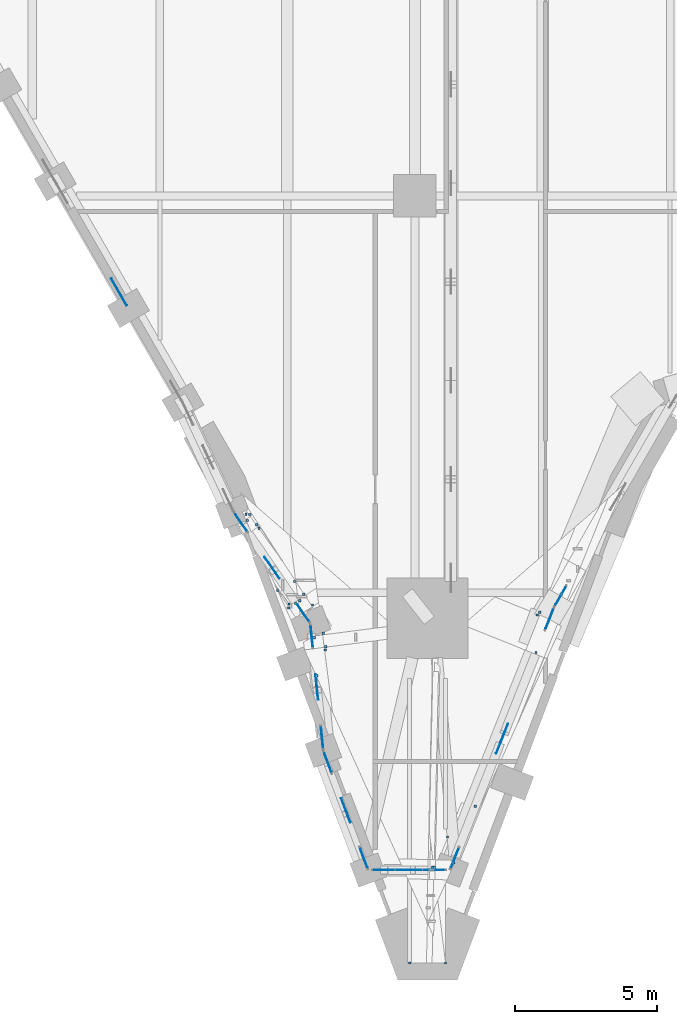
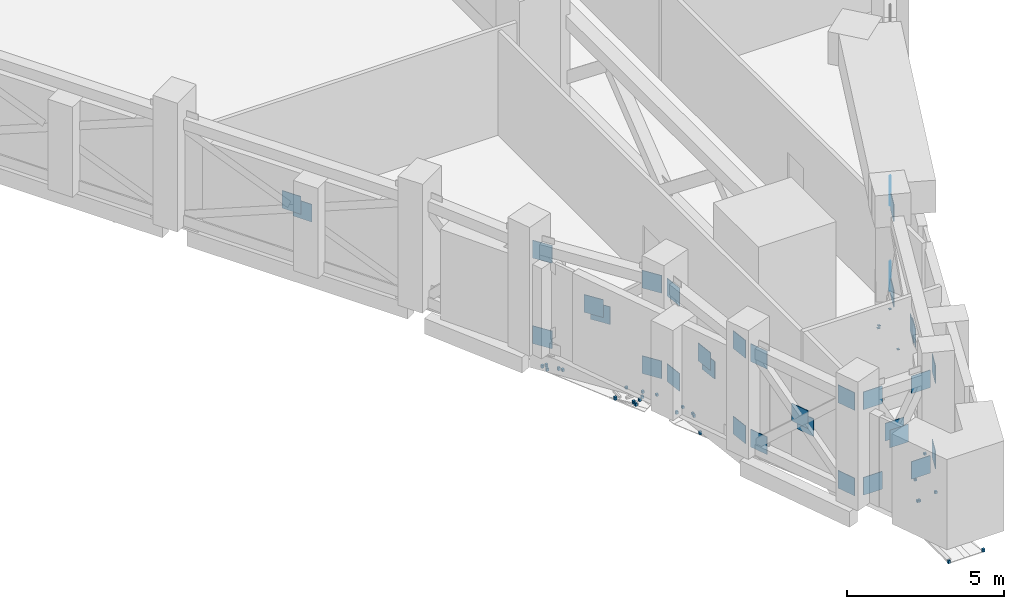
# One storey, part 15 of 20: 63 discrete accessories.
"""IFC4 building model written with IfcOpenShell, lengths in metres."""

from ifc_helpers import new_model, si_unit, direction, frame, origin, origin_2d, place, context, subcontext, project, spatial, rectangle, extrude, material, type_object, element, save


model = new_model("IFC4")

# Units and contexts
model_context = context("Model", 3, precision=1e-05, world=origin(), true_north=direction((0.0, 1.0)))
body_context = subcontext(model_context, "Body", "Model", "MODEL_VIEW")
ifc_project = project(units=[si_unit("LENGTHUNIT", "METRE"), si_unit("AREAUNIT", "SQUARE_METRE"), si_unit("VOLUMEUNIT", "CUBIC_METRE"), si_unit("PLANEANGLEUNIT", "RADIAN"), si_unit("MASSUNIT", "GRAM", prefix="KILO")], contexts=[model_context])

# Site, building, storey
site_placement = place(None, origin())
site = spatial("IfcSite", under=ifc_project, at=site_placement, CompositionType="ELEMENT")
building_placement = place(site_placement, origin())
building = spatial("IfcBuilding", under=site, at=building_placement, Name="Calabash Gate Tower", CompositionType="ELEMENT")
storey_placement = place(building_placement, frame((0.0, 0.0, 139.60009765625)))
storey = spatial("IfcBuildingStorey", under=building, at=storey_placement, Name="L32", CompositionType="ELEMENT", Elevation=139.60009765625)

# Discrete accessories
ifc_material_1 = material(Name="Steel ASTM A572 Gr50", Category="steel")
discrete_accessory_type_1 = type_object("IfcDiscreteAccessoryType", Name="Connection plate 25", PredefinedType="BRACKET", material=ifc_material_1)
for number, where, z_axis, x_axis, name in (
    (1, (-10.538818359375, -15.211181640625, 1.80322265625), (0.0, 0.0, 1.0), (0.499999954655, -0.866025429964, 0.0), "Connection plate Belt diagonal (split) L32 4 half 1 of 2 end"),
    (2, (-10.337646484375, -15.5595703125, 1.638671875), (0.0, 0.0, 1.0), (0.499999954655, -0.866025429964, 0.0), "Connection plate Belt diagonal (split) L32 5 half 2 of 2 start"),
    (3, (-6.133544921875, -23.519287109375, 0.0625), (0.0, 0.0, 1.0), (0.566462993723, -0.824087177878, 0.0), "Connection plate Belt diagonal L32 13 start"),
    (4, (-3.95068359375, -26.694580078125, 3.37939453125), (0.0, 0.0, 1.0), (0.566462993723, -0.824087177878, 0.0), "Connection plate Belt diagonal L32 13 end"),
    (5, (-6.133544921875, -23.519287109375, 3.37939453125), (0.0, 0.0, 1.0), (0.566463137553, -0.824087079011, 0.0), "Connection plate Belt diagonal (split) L32 14 half 1 of 2 start"),
    (6, (-5.1083984375, -25.0107421875, 1.82177734375), (0.0, 0.0, 1.0), (0.566463137553, -0.824087079011, 0.0), "Connection plate Belt diagonal (split) L32 14 half 1 of 2 end"),
    (7, (-4.97607421875, -25.203125, 1.62060546875), (0.0, 0.0, 1.0), (0.566463137553, -0.824087079011, 0.0), "Connection plate Belt diagonal (split) L32 15 half 2 of 2 start"),
    (8, (-3.95068359375, -26.694580078125, 0.0625), (0.0, 0.0, 1.0), (0.566463137553, -0.824087079011, 0.0), "Connection plate Belt diagonal (split) L32 15 half 2 of 2 end"),
    (9, (-3.640869140625, -27.53955078125, 0.0625), (0.0, 0.0, 1.0), (0.101681535445, -0.994817000935, 0.0), "Connection plate Belt diagonal L32 18 start"),
    (10, (-3.277099609375, -31.098876953125, 3.37939453125), (0.0, 0.0, 1.0), (0.101681535445, -0.994817000935, 0.0), "Connection plate Belt diagonal L32 18 end"),
    (11, (-3.640869140625, -27.53955078125, 3.37939453125), (0.0, 0.0, 1.0), (0.101681761162, -0.994816977864, 0.0), "Connection plate Belt diagonal (split) L32 19 half 1 of 2 start"),
    (12, (-3.470458984375, -29.207763671875, 1.82470703125), (0.0, 0.0, 1.0), (0.101681761162, -0.994816977864, 0.0), "Connection plate Belt diagonal (split) L32 19 half 1 of 2 end"),
    (13, (-3.447509765625, -29.4306640625, 1.6171875), (0.0, 0.0, 1.0), (0.101681761162, -0.994816977864, 0.0), "Connection plate Belt diagonal (split) L32 20 half 2 of 2 start"),
    (14, (-3.277099609375, -31.098876953125, 0.0625), (0.0, 0.0, 1.0), (0.101681761162, -0.994816977864, 0.0), "Connection plate Belt diagonal (split) L32 20 half 2 of 2 end"),
    (15, (-3.071533203125, -31.98291015625, 0.0625), (0.0, 0.0, 1.0), (0.351822435641, -0.936066757117, 0.0), "Connection plate Belt diagonal L32 23 start"),
    (16, (-1.804931640625, -35.352783203125, 3.37939453125), (0.0, 0.0, 1.0), (0.351822435641, -0.936066757117, 0.0), "Connection plate Belt diagonal L32 23 end"),
    (17, (-3.071533203125, -31.98291015625, 3.37939453125), (0.0, 0.0, 1.0), (0.351822550003, -0.936066714134, 0.0), "Connection plate Belt diagonal (split) L32 24 half 1 of 2 start"),
    (18, (-2.477783203125, -33.562744140625, 1.82470703125), (0.0, 0.0, 1.0), (0.351822550003, -0.936066714134, 0.0), "Connection plate Belt diagonal (split) L32 24 half 1 of 2 end"),
    (19, (-2.398681640625, -33.773193359375, 1.6171875), (0.0, 0.0, 1.0), (0.351822550003, -0.936066714134, 0.0), "Connection plate Belt diagonal (split) L32 25 half 2 of 2 start"),
    (20, (-1.804931640625, -35.352783203125, 0.0625), (0.0, 0.0, 1.0), (0.351822550003, -0.936066714134, 0.0), "Connection plate Belt diagonal (split) L32 25 half 2 of 2 end"),
    (21, (-1.085693359375, -35.774169921875, 0.0625), (0.0, 0.0, 1.0), (1.0, 0.0, 0.0), "Connection plate Belt diagonal L32 28 start"),
    (22, (0.67626953125, -35.774169921875, 3.37939453125), (0.0, 0.0, 1.0), (1.0, 0.0, 0.0), "Connection plate Belt diagonal L32 28 end"),
    (23, (-1.085693359375, -35.774169921875, 3.37939453125), (0.0, 0.0, 1.0), (1.0, 0.0, 0.0), "Connection plate Belt diagonal (split) L32 29 half 1 of 2 start"),
    (24, (-0.291015625, -35.774169921875, 1.88330078125), (0.0, 0.0, 1.0), (1.0, 0.0, 0.0), "Connection plate Belt diagonal (split) L32 29 half 1 of 2 end"),
    (25, (-0.118408203125, -35.774169921875, 1.55859375), (0.0, 0.0, 1.0), (1.0, 0.0, 0.0), "Connection plate Belt diagonal (split) L32 30 half 2 of 2 start"),
    (26, (0.67626953125, -35.774169921875, 0.0625), (0.0, 0.0, 1.0), (1.0, 0.0, 0.0), "Connection plate Belt diagonal (split) L32 30 half 2 of 2 end"),
    (27, (1.40283203125, -35.355712890625, 0.0625), (0.0, 0.0, 1.0), (0.368137437412, 0.92977138436, 0.0), "Connection plate Belt diagonal L32 33 start"),
    (28, (4.740966796875, -26.9248046875, 3.37939453125), (0.0, 0.0, 1.0), (0.368137437412, 0.92977138436, 0.0), "Connection plate Belt diagonal L32 33 end"),
    (29, (1.40283203125, -35.355712890625, 3.37939453125), (0.0, 0.0, 1.0), (0.368137469867, 0.92977137151, 0.0), "Connection plate Belt diagonal (split) L32 34 half 1 of 2 start"),
    (30, (2.990234375, -31.346435546875, 1.80224609375), (0.0, 0.0, 1.0), (0.368137469867, 0.92977137151, 0.0), "Connection plate Belt diagonal (split) L32 34 half 1 of 2 end"),
    (31, (3.153564453125, -30.93408203125, 1.6396484375), (0.0, 0.0, 1.0), (0.368137469867, 0.92977137151, 0.0), "Connection plate Belt diagonal (split) L32 35 half 2 of 2 start"),
    (32, (4.740966796875, -26.9248046875, 0.0625), (0.0, 0.0, 1.0), (0.368137469867, 0.92977137151, 0.0), "Connection plate Belt diagonal (split) L32 35 half 2 of 2 end"),
    (33, (5.134765625, -26.111328125, 0.0625), (0.0, 0.0, 1.0), (0.50000003023, 0.866025386331, 0.0), "Connection plate Belt diagonal L32 38 start"),
    (34, (5.134765625, -26.111328125, 3.37939453125), (0.0, 0.0, 1.0), (0.500000045345, 0.866025377604, 0.0), "Connection plate Belt diagonal (split) L32 39 half 1 of 2 start"),
):
    element("IfcDiscreteAccessory", number, at=place(storey_placement, frame(where, z_axis=z_axis, x_axis=x_axis)), inside=storey, type_object=discrete_accessory_type_1, Name=name, PredefinedType="BRACKET", context=body_context, shape_type="SweptSolid", body=[
        extrude(rectangle(XDim=0.687744140625, YDim=0.02490234375, at=origin_2d()), origin(), (0.0, 0.0, 1.0), 0.687744140625),
    ])
ifc_material_2 = material(Name="Stainless steel 316 bracket", Category="steel")
discrete_accessory_type_2 = type_object("IfcDiscreteAccessoryType", Name="Soffit bracket 80x80x120", PredefinedType="BRACKET", material=ifc_material_2)
discrete_accessory_1_placement = place(storey_placement, frame((-3.16650390625, -28.015869140625, -1.001220703125), z_axis=(0.0, 0.0, 1.0), x_axis=(1.0, 0.0, 0.0)))
element("IfcDiscreteAccessory", 35, at=discrete_accessory_1_placement, inside=storey, type_object=discrete_accessory_type_2, Name="Soffit bracket Z3 S SOF-Z3-S-01", PredefinedType="BRACKET", context=body_context, shape_type="SweptSolid", body=[
    extrude(rectangle(XDim=0.080078125, YDim=0.080078125, at=origin_2d()), origin(), (0.0, 0.0, 1.0), 0.10107421875),
])
discrete_accessory_2_placement = place(storey_placement, frame((1.147705078125, -34.606689453125, -0.98193359375), z_axis=(0.0, 0.0, 1.0), x_axis=(1.0, 0.0, 0.0)))
element("IfcDiscreteAccessory", 36, at=discrete_accessory_2_placement, inside=storey, type_object=discrete_accessory_type_2, Name="Soffit bracket Z3 S SOF-Z3-S-02", PredefinedType="BRACKET", context=body_context, shape_type="SweptSolid", body=[
    extrude(rectangle(XDim=0.080078125, YDim=0.080078125, at=origin_2d()), origin(), (0.0, 0.0, 1.0), 0.081787109375),
])
discrete_accessory_3_placement = place(storey_placement, frame((2.12646484375, -33.519287109375, -0.979248046875), z_axis=(0.0, 0.0, 1.0), x_axis=(1.0, 0.0, 0.0)))
element("IfcDiscreteAccessory", 37, at=discrete_accessory_3_placement, inside=storey, type_object=discrete_accessory_type_2, Name="Soffit bracket Z3 S SOF-Z3-S-03", PredefinedType="BRACKET", context=body_context, shape_type="SweptSolid", body=[
    extrude(rectangle(XDim=0.080078125, YDim=0.080078125, at=origin_2d()), origin(), (0.0, 0.0, 1.0), 0.0791015625),
])
discrete_accessory_4_placement = place(storey_placement, frame((-3.2392578125, -27.41748046875, -0.99609375), z_axis=(0.0, 0.0, 1.0), x_axis=(1.0, 0.0, 0.0)))
element("IfcDiscreteAccessory", 38, at=discrete_accessory_4_placement, inside=storey, type_object=discrete_accessory_type_2, Name="Soffit bracket Z3 S SOF-Z3-S-04", PredefinedType="BRACKET", context=body_context, shape_type="SweptSolid", body=[
    extrude(rectangle(XDim=0.080078125, YDim=0.080078125, at=origin_2d()), origin(), (0.0, 0.0, 1.0), 0.095947265625),
])
discrete_accessory_5_placement = place(storey_placement, frame((4.31494140625, -26.78125, -0.9228515625), z_axis=(0.0, 0.0, 1.0), x_axis=(1.0, 0.0, 0.0)))
element("IfcDiscreteAccessory", 39, at=discrete_accessory_5_placement, inside=storey, type_object=discrete_accessory_type_2, Name="Soffit bracket Z3 S SOF-Z3-S-05", PredefinedType="BRACKET", context=body_context, shape_type="SweptSolid", body=[
    extrude(rectangle(XDim=0.080078125, YDim=0.080078125, at=origin_2d()), origin(), (0.0, 0.0, 1.0), 0.022705078125),
])
discrete_accessory_6_placement = place(storey_placement, frame((4.39892578125, -26.67578125, -0.92236328125), z_axis=(0.0, 0.0, 1.0), x_axis=(1.0, 0.0, 0.0)))
element("IfcDiscreteAccessory", 40, at=discrete_accessory_6_placement, inside=storey, type_object=discrete_accessory_type_2, Name="Soffit bracket Z3 S SOF-Z3-S-06", PredefinedType="BRACKET", context=body_context, shape_type="SweptSolid", body=[
    extrude(rectangle(XDim=0.080078125, YDim=0.080078125, at=origin_2d()), origin(), (0.0, 0.0, 1.0), 0.022216796875),
])
discrete_accessory_7_placement = place(storey_placement, frame((-4.25, -25.59228515625, -1.0009765625), z_axis=(0.0, 0.0, 1.0), x_axis=(1.0, 0.0, 0.0)))
element("IfcDiscreteAccessory", 41, at=discrete_accessory_7_placement, inside=storey, type_object=discrete_accessory_type_2, Name="Soffit bracket Z3 S SOF-Z3-S-08", PredefinedType="BRACKET", context=body_context, shape_type="SweptSolid", body=[
    extrude(rectangle(XDim=0.080078125, YDim=0.080078125, at=origin_2d()), origin(), (0.0, 0.0, 1.0), 0.100830078125),
])
discrete_accessory_8_placement = place(storey_placement, frame((-3.142822265625, -27.899658203125, -0.999267578125), z_axis=(0.0, 0.0, 1.0), x_axis=(1.0, 0.0, 0.0)))
element("IfcDiscreteAccessory", 42, at=discrete_accessory_8_placement, inside=storey, type_object=discrete_accessory_type_2, Name="Soffit bracket Z3 S SOF-Z3-S-14", PredefinedType="BRACKET", context=body_context, shape_type="SweptSolid", body=[
    extrude(rectangle(XDim=0.080078125, YDim=0.080078125, at=origin_2d()), origin(), (0.0, 0.0, 1.0), 0.09912109375),
])
discrete_accessory_9_placement = place(storey_placement, frame((4.27197265625, -28.103515625, -0.937744140625), z_axis=(0.0, 0.0, 1.0), x_axis=(1.0, 0.0, 0.0)))
element("IfcDiscreteAccessory", 43, at=discrete_accessory_9_placement, inside=storey, type_object=discrete_accessory_type_2, Name="Soffit bracket Z3 S SOF-Z3-S-16", PredefinedType="BRACKET", context=body_context, shape_type="SweptSolid", body=[
    extrude(rectangle(XDim=0.080078125, YDim=0.080078125, at=origin_2d()), origin(), (0.0, 0.0, 1.0), 0.03759765625),
])
discrete_accessory_10_placement = place(storey_placement, frame((-3.457275390625, -28.916748046875, -1.019287109375), z_axis=(0.0, 0.0, 1.0), x_axis=(1.0, 0.0, 0.0)))
element("IfcDiscreteAccessory", 44, at=discrete_accessory_10_placement, inside=storey, type_object=discrete_accessory_type_2, Name="Soffit bracket Z3 S SOF-Z3-S-18", PredefinedType="BRACKET", context=body_context, shape_type="SweptSolid", body=[
    extrude(rectangle(XDim=0.080078125, YDim=0.080078125, at=origin_2d()), origin(), (0.0, 0.0, 1.0), 0.119140625),
])
discrete_accessory_11_placement = place(storey_placement, frame((5.15869140625, -26.049072265625, -0.9228515625), z_axis=(0.0, 0.0, 1.0), x_axis=(1.0, 0.0, 0.0)))
element("IfcDiscreteAccessory", 45, at=discrete_accessory_11_placement, inside=storey, type_object=discrete_accessory_type_2, Name="Soffit bracket Z3 S SOF-Z3-S-21", PredefinedType="BRACKET", context=body_context, shape_type="SweptSolid", body=[
    extrude(rectangle(XDim=0.080078125, YDim=0.080078125, at=origin_2d()), origin(), (0.0, 0.0, 1.0), 0.022705078125),
])
discrete_accessory_12_placement = place(storey_placement, frame((1.366943359375, -35.5224609375, -0.994873046875), z_axis=(0.0, 0.0, 1.0), x_axis=(1.0, 0.0, 0.0)))
element("IfcDiscreteAccessory", 46, at=discrete_accessory_12_placement, inside=storey, type_object=discrete_accessory_type_2, Name="Soffit bracket Z3 S SOF-Z3-S-26", PredefinedType="BRACKET", context=body_context, shape_type="SweptSolid", body=[
    extrude(rectangle(XDim=0.080078125, YDim=0.080078125, at=origin_2d()), origin(), (0.0, 0.0, 1.0), 0.0947265625),
])
discrete_accessory_13_placement = place(storey_placement, frame((-3.5517578125, -27.575927734375, -1.006103515625), z_axis=(0.0, 0.0, 1.0), x_axis=(1.0, 0.0, 0.0)))
element("IfcDiscreteAccessory", 47, at=discrete_accessory_13_placement, inside=storey, type_object=discrete_accessory_type_2, Name="Soffit bracket Z3 S SOF-Z3-S-28", PredefinedType="BRACKET", context=body_context, shape_type="SweptSolid", body=[
    extrude(rectangle(XDim=0.080078125, YDim=0.080078125, at=origin_2d()), origin(), (0.0, 0.0, 1.0), 0.10595703125),
])
discrete_accessory_14_placement = place(storey_placement, frame((-4.067138671875, -26.279541015625, -1.00439453125), z_axis=(0.0, 0.0, 1.0), x_axis=(1.0, 0.0, 0.0)))
element("IfcDiscreteAccessory", 48, at=discrete_accessory_14_placement, inside=storey, type_object=discrete_accessory_type_2, Name="Soffit bracket Z3 S SOF-Z3-S-31", PredefinedType="BRACKET", context=body_context, shape_type="SweptSolid", body=[
    extrude(rectangle(XDim=0.080078125, YDim=0.080078125, at=origin_2d()), origin(), (0.0, 0.0, 1.0), 0.104248046875),
])
discrete_accessory_15_placement = place(storey_placement, frame((-3.61083984375, -26.4208984375, -0.994140625), z_axis=(0.0, 0.0, 1.0), x_axis=(1.0, 0.0, 0.0)))
element("IfcDiscreteAccessory", 49, at=discrete_accessory_15_placement, inside=storey, type_object=discrete_accessory_type_2, Name="Soffit bracket Z3 S SOF-Z3-S-33", PredefinedType="BRACKET", context=body_context, shape_type="SweptSolid", body=[
    extrude(rectangle(XDim=0.080078125, YDim=0.080078125, at=origin_2d()), origin(), (0.0, 0.0, 1.0), 0.093994140625),
])
discrete_accessory_16_placement = place(storey_placement, frame((0.628173828125, -35.66943359375, -0.989013671875), z_axis=(0.0, 0.0, 1.0), x_axis=(1.0, 0.0, 0.0)))
element("IfcDiscreteAccessory", 50, at=discrete_accessory_16_placement, inside=storey, type_object=discrete_accessory_type_2, Name="Soffit bracket Z3 S SOF-Z3-S-36", PredefinedType="BRACKET", context=body_context, shape_type="SweptSolid", body=[
    extrude(rectangle(XDim=0.080078125, YDim=0.080078125, at=origin_2d()), origin(), (0.0, 0.0, 1.0), 0.0888671875),
])
discrete_accessory_17_placement = place(storey_placement, frame((-4.21484375, -26.371826171875, -1.00927734375), z_axis=(0.0, 0.0, 1.0), x_axis=(1.0, 0.0, 0.0)))
element("IfcDiscreteAccessory", 51, at=discrete_accessory_17_placement, inside=storey, type_object=discrete_accessory_type_2, Name="Soffit bracket Z3 S SOF-Z3-S-37", PredefinedType="BRACKET", context=body_context, shape_type="SweptSolid", body=[
    extrude(rectangle(XDim=0.080078125, YDim=0.080078125, at=origin_2d()), origin(), (0.0, 0.0, 1.0), 0.109130859375),
])
discrete_accessory_18_placement = place(storey_placement, frame((0.679931640625, -35.671142578125, -0.990966796875), z_axis=(0.0, 0.0, 1.0), x_axis=(1.0, 0.0, 0.0)))
element("IfcDiscreteAccessory", 52, at=discrete_accessory_18_placement, inside=storey, type_object=discrete_accessory_type_2, Name="Soffit bracket Z3 S SOF-Z3-S-38", PredefinedType="BRACKET", context=body_context, shape_type="SweptSolid", body=[
    extrude(rectangle(XDim=0.080078125, YDim=0.080078125, at=origin_2d()), origin(), (0.0, 0.0, 1.0), 0.0908203125),
])
discrete_accessory_19_placement = place(storey_placement, frame((-5.919677734375, -23.444091796875, -1.019287109375), z_axis=(0.0, 0.0, 1.0), x_axis=(1.0, 0.0, 0.0)))
element("IfcDiscreteAccessory", 53, at=discrete_accessory_19_placement, inside=storey, type_object=discrete_accessory_type_2, Name="Soffit bracket Z3 S SOF-Z3-S-40", PredefinedType="BRACKET", context=body_context, shape_type="SweptSolid", body=[
    extrude(rectangle(XDim=0.080078125, YDim=0.080078125, at=origin_2d()), origin(), (0.0, 0.0, 1.0), 0.119140625),
])
discrete_accessory_20_placement = place(storey_placement, frame((-3.918701171875, -26.049072265625, -0.997802734375), z_axis=(0.0, 0.0, 1.0), x_axis=(1.0, 0.0, 0.0)))
element("IfcDiscreteAccessory", 54, at=discrete_accessory_20_placement, inside=storey, type_object=discrete_accessory_type_2, Name="Soffit bracket Z3 S SOF-Z3-S-42", PredefinedType="BRACKET", context=body_context, shape_type="SweptSolid", body=[
    extrude(rectangle(XDim=0.080078125, YDim=0.080078125, at=origin_2d()), origin(), (0.0, 0.0, 1.0), 0.09765625),
])
discrete_accessory_21_placement = place(storey_placement, frame((-4.448486328125, -26.533447265625, -1.01708984375), z_axis=(0.0, 0.0, 1.0), x_axis=(1.0, 0.0, 0.0)))
element("IfcDiscreteAccessory", 55, at=discrete_accessory_21_placement, inside=storey, type_object=discrete_accessory_type_2, Name="Soffit bracket Z3 S SOF-Z3-S-43", PredefinedType="BRACKET", context=body_context, shape_type="SweptSolid", body=[
    extrude(rectangle(XDim=0.080078125, YDim=0.080078125, at=origin_2d()), origin(), (0.0, 0.0, 1.0), 0.116943359375),
])
discrete_accessory_22_placement = place(storey_placement, frame((-5.50439453125, -23.7216796875, -1.01171875), z_axis=(0.0, 0.0, 1.0), x_axis=(1.0, 0.0, 0.0)))
element("IfcDiscreteAccessory", 56, at=discrete_accessory_22_placement, inside=storey, type_object=discrete_accessory_type_2, Name="Soffit bracket Z3 S SOF-Z3-S-44", PredefinedType="BRACKET", context=body_context, shape_type="SweptSolid", body=[
    extrude(rectangle(XDim=0.080078125, YDim=0.080078125, at=origin_2d()), origin(), (0.0, 0.0, 1.0), 0.111572265625),
])
discrete_accessory_23_placement = place(storey_placement, frame((-5.96044921875, -23.22314453125, -1.017822265625), z_axis=(0.0, 0.0, 1.0), x_axis=(1.0, 0.0, 0.0)))
element("IfcDiscreteAccessory", 57, at=discrete_accessory_23_placement, inside=storey, type_object=discrete_accessory_type_2, Name="Soffit bracket Z3 S SOF-Z3-S-45", PredefinedType="BRACKET", context=body_context, shape_type="SweptSolid", body=[
    extrude(rectangle(XDim=0.080078125, YDim=0.080078125, at=origin_2d()), origin(), (0.0, 0.0, 1.0), 0.11767578125),
])
discrete_accessory_24_placement = place(storey_placement, frame((-4.8369140625, -25.912353515625, -1.02001953125), z_axis=(0.0, 0.0, 1.0), x_axis=(1.0, 0.0, 0.0)))
element("IfcDiscreteAccessory", 58, at=discrete_accessory_24_placement, inside=storey, type_object=discrete_accessory_type_2, Name="Soffit bracket Z3 S SOF-Z3-S-46", PredefinedType="BRACKET", context=body_context, shape_type="SweptSolid", body=[
    extrude(rectangle(XDim=0.080078125, YDim=0.080078125, at=origin_2d()), origin(), (0.0, 0.0, 1.0), 0.119873046875),
])
discrete_accessory_25_placement = place(storey_placement, frame((-4.444580078125, -26.3916015625, -1.015380859375), z_axis=(0.0, 0.0, 1.0), x_axis=(1.0, 0.0, 0.0)))
element("IfcDiscreteAccessory", 59, at=discrete_accessory_25_placement, inside=storey, type_object=discrete_accessory_type_2, Name="Soffit bracket Z3 S SOF-Z3-S-47", PredefinedType="BRACKET", context=body_context, shape_type="SweptSolid", body=[
    extrude(rectangle(XDim=0.080078125, YDim=0.080078125, at=origin_2d()), origin(), (0.0, 0.0, 1.0), 0.115234375),
])
discrete_accessory_26_placement = place(storey_placement, frame((-5.581787109375, -23.596923828125, -1.01220703125), z_axis=(0.0, 0.0, 1.0), x_axis=(1.0, 0.0, 0.0)))
element("IfcDiscreteAccessory", 60, at=discrete_accessory_26_placement, inside=storey, type_object=discrete_accessory_type_2, Name="Soffit bracket Z3 S SOF-Z3-S-48", PredefinedType="BRACKET", context=body_context, shape_type="SweptSolid", body=[
    extrude(rectangle(XDim=0.080078125, YDim=0.080078125, at=origin_2d()), origin(), (0.0, 0.0, 1.0), 0.112060546875),
])
discrete_accessory_27_placement = place(storey_placement, frame((-5.823974609375, -23.234619140625, -1.014404296875), z_axis=(0.0, 0.0, 1.0), x_axis=(1.0, 0.0, 0.0)))
element("IfcDiscreteAccessory", 61, at=discrete_accessory_27_placement, inside=storey, type_object=discrete_accessory_type_2, Name="Soffit bracket Z3 S SOF-Z3-S-49", PredefinedType="BRACKET", context=body_context, shape_type="SweptSolid", body=[
    extrude(rectangle(XDim=0.080078125, YDim=0.080078125, at=origin_2d()), origin(), (0.0, 0.0, 1.0), 0.1142578125),
])
for number, where, z_axis, x_axis, name in (
    (62, (-0.188720703125, -39.050048828125, -1.020263671875), (0.0, 0.0, 1.0), (1.0, 0.0, 0.0), "Soffit bracket Z3 S 1"),
    (63, (1.077880859375, -39.050048828125, -1.020263671875), (0.0, 0.0, 1.0), (1.0, 0.0, 0.0), "Soffit bracket Z3 S 2"),
):
    element("IfcDiscreteAccessory", number, at=place(storey_placement, frame(where, z_axis=z_axis, x_axis=x_axis)), inside=storey, type_object=discrete_accessory_type_2, Name=name, PredefinedType="BRACKET", context=body_context, shape_type="SweptSolid", body=[
        extrude(rectangle(XDim=0.080078125, YDim=0.080078125, at=origin_2d()), origin(), (0.0, 0.0, 1.0), 0.1201171875),
    ])

save(model, "model.ifc")
